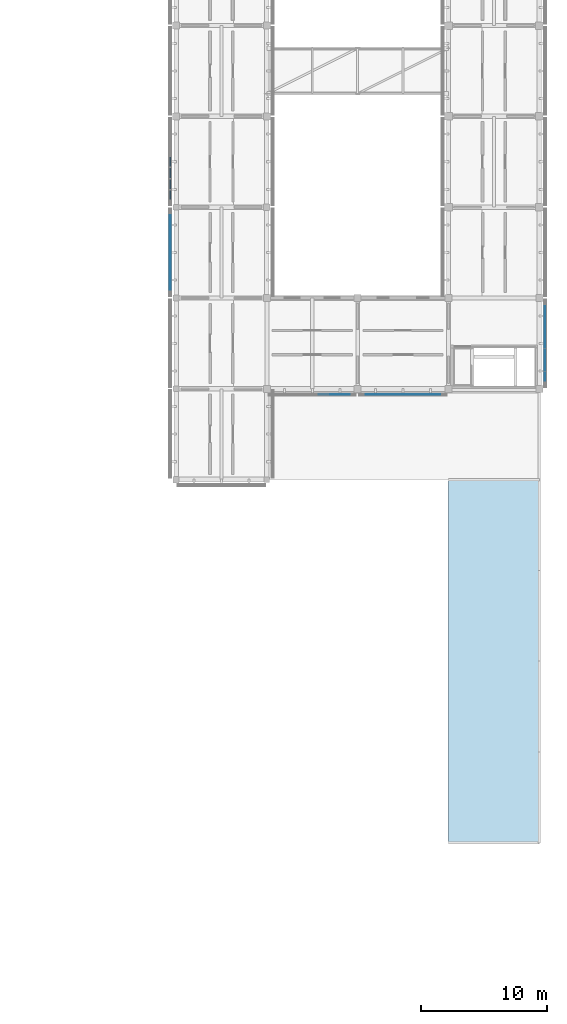
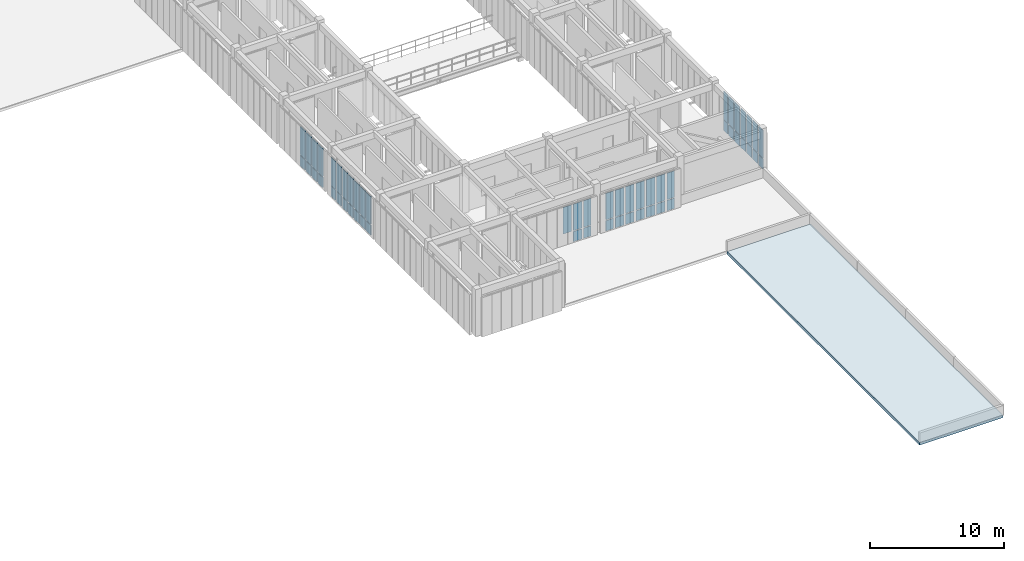
# One storey, part 56 of 91: 55 plates, 1 slab, 5 elements without a shape of their own.
"""IFC4 building model written with IfcOpenShell, lengths in metres."""

from ifc_helpers import new_model, si_unit, direction, frame, origin, origin_2d, place, context, subcontext, project, spatial, polyline, rectangle, outline, extrude, material, layer, layer_set, type_object, element, aggregate, save


model = new_model("IFC4")

# Units and contexts
model_context = context("Model", 3, precision=1e-05, world=origin(), true_north=direction((0.0, 1.0)))
body_context = subcontext(model_context, "Body", "Model", "MODEL_VIEW")
ifc_project = project(units=[si_unit("LENGTHUNIT", "METRE"), si_unit("AREAUNIT", "SQUARE_METRE"), si_unit("VOLUMEUNIT", "CUBIC_METRE"), si_unit("PLANEANGLEUNIT", "RADIAN"), si_unit("MASSUNIT", "GRAM", prefix="KILO")], contexts=[model_context])

# Site, building, storey
site_placement = place(None, origin())
site = spatial("IfcSite", under=ifc_project, at=site_placement, CompositionType="ELEMENT")
building_placement = place(site_placement, origin())
building = spatial("IfcBuilding", under=site, at=building_placement, Name="Aldebral Square Health Centre", CompositionType="ELEMENT")
storey_placement = place(building_placement, frame((0.0, 0.0, 9.0)))
storey = spatial("IfcBuildingStorey", under=building, at=storey_placement, Name="L02", CompositionType="ELEMENT", Elevation=9.0)

# Curtain wall, plates
ifc_material_1 = material(Name="Aluminium and low-E solar glass", Category="aluminium")
curtain_wall_type = type_object("IfcCurtainWallType", Name="CW-FIN-SYS", PredefinedType="USERDEFINED", material=ifc_material_1)
curtain_wall_1_placement = place(storey_placement, origin())
curtain_wall_1 = element("IfcCurtainWall", 1, at=curtain_wall_1_placement, inside=storey, type_object=curtain_wall_type, Name="L02 V5 finned curtain wall L02-V5-20-08-S", ObjectType="SOLAR_CURTAIN_WALL", PredefinedType="USERDEFINED")
ifc_material_2 = material(Name="Solar-control low-E double glass", Category="glass")
ifc_layer_1 = layer(ifc_material_2, 0.030029296875, Name="Solar-control low-E double glass", Category="glass")
ifc_layer_set_1 = layer_set([ifc_layer_1], Name="Solar-control low-E double glass")
plate_type_1 = type_object("IfcPlateType", Name="CWP-GLZ-2", PredefinedType="CURTAIN_PANEL", material=ifc_layer_set_1)
plate_1_placement = place(storey_placement, frame((148.491455078125, 57.139892578125, 1.08740234375), z_axis=(0.0, 0.0, 1.0), x_axis=(1.0, 0.0, 0.0)))
plate_1 = element("IfcPlate", 2, at=plate_1_placement, type_object=plate_type_1, Name="CW1 panel 5.2", PredefinedType="CURTAIN_PANEL", context=body_context, shape_type="SweptSolid", body=[
    extrude(rectangle(XDim=0.7314453125, YDim=0.030029296875, at=origin_2d()), origin(), (0.0, 0.0, 1.0), 2.427490234375),
])
plate_2_placement = place(storey_placement, frame((149.3828125, 57.139892578125, 0.074951171875), z_axis=(0.0, 0.0, 1.0), x_axis=(1.0, 0.0, 0.0)))
plate_2 = element("IfcPlate", 3, at=plate_2_placement, type_object=plate_type_1, Name="CW1 panel 6.1", PredefinedType="CURTAIN_PANEL", context=body_context, shape_type="SweptSolid", body=[
    extrude(rectangle(XDim=0.7314453125, YDim=0.030029296875, at=origin_2d()), origin(), (0.0, 0.0, 1.0), 0.9375),
])
plate_3_placement = place(storey_placement, frame((149.3828125, 57.139892578125, 1.08740234375), z_axis=(0.0, 0.0, 1.0), x_axis=(1.0, 0.0, 0.0)))
plate_3 = element("IfcPlate", 4, at=plate_3_placement, type_object=plate_type_1, Name="CW1 panel 6.2", PredefinedType="CURTAIN_PANEL", context=body_context, shape_type="SweptSolid", body=[
    extrude(rectangle(XDim=0.7314453125, YDim=0.030029296875, at=origin_2d()), origin(), (0.0, 0.0, 1.0), 2.427490234375),
])
plate_4_placement = place(storey_placement, frame((150.234375, 57.139892578125, 0.074951171875), z_axis=(0.0, 0.0, 1.0), x_axis=(1.0, 0.0, 0.0)))
plate_4 = element("IfcPlate", 5, at=plate_4_placement, type_object=plate_type_1, Name="CW1 panel 7.1", PredefinedType="CURTAIN_PANEL", context=body_context, shape_type="SweptSolid", body=[
    extrude(rectangle(XDim=0.6513671875, YDim=0.030029296875, at=origin_2d()), origin(), (0.0, 0.0, 1.0), 0.9375),
])
plate_5_placement = place(storey_placement, frame((150.234375, 57.139892578125, 1.08740234375), z_axis=(0.0, 0.0, 1.0), x_axis=(1.0, 0.0, 0.0)))
plate_5 = element("IfcPlate", 6, at=plate_5_placement, type_object=plate_type_1, Name="CW1 panel 7.2", PredefinedType="CURTAIN_PANEL", context=body_context, shape_type="SweptSolid", body=[
    extrude(rectangle(XDim=0.6513671875, YDim=0.030029296875, at=origin_2d()), origin(), (0.0, 0.0, 1.0), 2.427490234375),
])
aggregate(curtain_wall_1, [plate_1, plate_2, plate_3, plate_4, plate_5])

curtain_wall_2_placement = place(storey_placement, origin())
curtain_wall_2 = element("IfcCurtainWall", 7, at=curtain_wall_2_placement, inside=storey, type_object=curtain_wall_type, Name="L02 V5 finned curtain wall L02-V5-21-08-S", ObjectType="SOLAR_CURTAIN_WALL", PredefinedType="USERDEFINED")
ifc_layer_2 = layer(ifc_material_2, 0.0400390625, Name="Solar-control low-E double glass", Category="glass")
ifc_layer_set_2 = layer_set([ifc_layer_2], Name="Solar-control low-E double glass")
plate_type_2 = type_object("IfcPlateType", Name="CWP-GLZ-3", PredefinedType="CURTAIN_PANEL", material=ifc_layer_set_2)
plate_6_placement = place(storey_placement, frame((152.165771484375, 57.139892578125, 0.074951171875), z_axis=(0.0, 0.0, 1.0), x_axis=(1.0, 0.0, 0.0)))
plate_6 = element("IfcPlate", 8, at=plate_6_placement, type_object=plate_type_2, Name="CW1 panel 1.1", PredefinedType="CURTAIN_PANEL", context=body_context, shape_type="SweptSolid", body=[
    extrude(rectangle(XDim=0.6513671875, YDim=0.0400390625, at=origin_2d()), origin(), (0.0, 0.0, 1.0), 0.9375),
])
plate_7_placement = place(storey_placement, frame((152.165771484375, 57.139892578125, 1.08740234375), z_axis=(0.0, 0.0, 1.0), x_axis=(1.0, 0.0, 0.0)))
plate_7 = element("IfcPlate", 9, at=plate_7_placement, type_object=plate_type_2, Name="CW1 panel 1.2", PredefinedType="CURTAIN_PANEL", context=body_context, shape_type="SweptSolid", body=[
    extrude(rectangle(XDim=0.6513671875, YDim=0.0400390625, at=origin_2d()), origin(), (0.0, 0.0, 1.0), 2.427490234375),
])
plate_8_placement = place(storey_placement, frame((153.01708984375, 57.139892578125, 0.074951171875), z_axis=(0.0, 0.0, 1.0), x_axis=(1.0, 0.0, 0.0)))
plate_8 = element("IfcPlate", 10, at=plate_8_placement, type_object=plate_type_2, Name="CW1 panel 2.1", PredefinedType="CURTAIN_PANEL", context=body_context, shape_type="SweptSolid", body=[
    extrude(rectangle(XDim=0.7314453125, YDim=0.0400390625, at=origin_2d()), origin(), (0.0, 0.0, 1.0), 0.9375),
])
plate_9_placement = place(storey_placement, frame((153.01708984375, 57.139892578125, 1.08740234375), z_axis=(0.0, 0.0, 1.0), x_axis=(1.0, 0.0, 0.0)))
plate_9 = element("IfcPlate", 11, at=plate_9_placement, type_object=plate_type_2, Name="CW1 panel 2.2", PredefinedType="CURTAIN_PANEL", context=body_context, shape_type="SweptSolid", body=[
    extrude(rectangle(XDim=0.7314453125, YDim=0.0400390625, at=origin_2d()), origin(), (0.0, 0.0, 1.0), 2.427490234375),
])
plate_10_placement = place(storey_placement, frame((153.90869140625, 57.139892578125, 0.074951171875), z_axis=(0.0, 0.0, 1.0), x_axis=(1.0, 0.0, 0.0)))
plate_10 = element("IfcPlate", 12, at=plate_10_placement, type_object=plate_type_2, Name="CW1 panel 3.1", PredefinedType="CURTAIN_PANEL", context=body_context, shape_type="SweptSolid", body=[
    extrude(rectangle(XDim=0.7314453125, YDim=0.0400390625, at=origin_2d()), origin(), (0.0, 0.0, 1.0), 0.9375),
])
plate_11_placement = place(storey_placement, frame((153.90869140625, 57.139892578125, 1.08740234375), z_axis=(0.0, 0.0, 1.0), x_axis=(1.0, 0.0, 0.0)))
plate_11 = element("IfcPlate", 13, at=plate_11_placement, type_object=plate_type_2, Name="CW1 panel 3.2", PredefinedType="CURTAIN_PANEL", context=body_context, shape_type="SweptSolid", body=[
    extrude(rectangle(XDim=0.7314453125, YDim=0.0400390625, at=origin_2d()), origin(), (0.0, 0.0, 1.0), 2.427490234375),
])
plate_12_placement = place(storey_placement, frame((154.800048828125, 57.139892578125, 0.074951171875), z_axis=(0.0, 0.0, 1.0), x_axis=(1.0, 0.0, 0.0)))
plate_12 = element("IfcPlate", 14, at=plate_12_placement, type_object=plate_type_2, Name="CW1 panel 4.1", PredefinedType="CURTAIN_PANEL", context=body_context, shape_type="SweptSolid", body=[
    extrude(rectangle(XDim=0.7314453125, YDim=0.0400390625, at=origin_2d()), origin(), (0.0, 0.0, 1.0), 0.9375),
])
plate_13_placement = place(storey_placement, frame((154.800048828125, 57.139892578125, 1.08740234375), z_axis=(0.0, 0.0, 1.0), x_axis=(1.0, 0.0, 0.0)))
plate_13 = element("IfcPlate", 15, at=plate_13_placement, type_object=plate_type_2, Name="CW1 panel 4.2", PredefinedType="CURTAIN_PANEL", context=body_context, shape_type="SweptSolid", body=[
    extrude(rectangle(XDim=0.7314453125, YDim=0.0400390625, at=origin_2d()), origin(), (0.0, 0.0, 1.0), 2.427490234375),
])
plate_14_placement = place(storey_placement, frame((155.69140625, 57.139892578125, 0.074951171875), z_axis=(0.0, 0.0, 1.0), x_axis=(1.0, 0.0, 0.0)))
plate_14 = element("IfcPlate", 16, at=plate_14_placement, type_object=plate_type_2, Name="CW1 panel 5.1", PredefinedType="CURTAIN_PANEL", context=body_context, shape_type="SweptSolid", body=[
    extrude(rectangle(XDim=0.7314453125, YDim=0.0400390625, at=origin_2d()), origin(), (0.0, 0.0, 1.0), 0.9375),
])
plate_15_placement = place(storey_placement, frame((155.69140625, 57.139892578125, 1.08740234375), z_axis=(0.0, 0.0, 1.0), x_axis=(1.0, 0.0, 0.0)))
plate_15 = element("IfcPlate", 17, at=plate_15_placement, type_object=plate_type_2, Name="CW1 panel 5.2", PredefinedType="CURTAIN_PANEL", context=body_context, shape_type="SweptSolid", body=[
    extrude(rectangle(XDim=0.7314453125, YDim=0.0400390625, at=origin_2d()), origin(), (0.0, 0.0, 1.0), 2.427490234375),
])
plate_16_placement = place(storey_placement, frame((156.582763671875, 57.139892578125, 0.074951171875), z_axis=(0.0, 0.0, 1.0), x_axis=(1.0, 0.0, 0.0)))
plate_16 = element("IfcPlate", 18, at=plate_16_placement, type_object=plate_type_2, Name="CW1 panel 6.1", PredefinedType="CURTAIN_PANEL", context=body_context, shape_type="SweptSolid", body=[
    extrude(rectangle(XDim=0.7314453125, YDim=0.0400390625, at=origin_2d()), origin(), (0.0, 0.0, 1.0), 0.9375),
])
plate_17_placement = place(storey_placement, frame((156.582763671875, 57.139892578125, 1.08740234375), z_axis=(0.0, 0.0, 1.0), x_axis=(1.0, 0.0, 0.0)))
plate_17 = element("IfcPlate", 19, at=plate_17_placement, type_object=plate_type_2, Name="CW1 panel 6.2", PredefinedType="CURTAIN_PANEL", context=body_context, shape_type="SweptSolid", body=[
    extrude(rectangle(XDim=0.7314453125, YDim=0.0400390625, at=origin_2d()), origin(), (0.0, 0.0, 1.0), 2.427490234375),
])
plate_18_placement = place(storey_placement, frame((157.434326171875, 57.139892578125, 0.074951171875), z_axis=(0.0, 0.0, 1.0), x_axis=(1.0, 0.0, 0.0)))
plate_18 = element("IfcPlate", 20, at=plate_18_placement, type_object=plate_type_2, Name="CW1 panel 7.1", PredefinedType="CURTAIN_PANEL", context=body_context, shape_type="SweptSolid", body=[
    extrude(rectangle(XDim=0.6513671875, YDim=0.0400390625, at=origin_2d()), origin(), (0.0, 0.0, 1.0), 0.9375),
])
plate_19_placement = place(storey_placement, frame((157.434326171875, 57.139892578125, 1.08740234375), z_axis=(0.0, 0.0, 1.0), x_axis=(1.0, 0.0, 0.0)))
plate_19 = element("IfcPlate", 21, at=plate_19_placement, type_object=plate_type_2, Name="CW1 panel 7.2", PredefinedType="CURTAIN_PANEL", context=body_context, shape_type="SweptSolid", body=[
    extrude(rectangle(XDim=0.6513671875, YDim=0.0400390625, at=origin_2d()), origin(), (0.0, 0.0, 1.0), 2.427490234375),
])
aggregate(curtain_wall_2, [plate_6, plate_7, plate_8, plate_9, plate_10, plate_11, plate_12, plate_13, plate_14, plate_15, plate_16, plate_17, plate_18, plate_19])

curtain_wall_3_placement = place(storey_placement, origin())
curtain_wall_3 = element("IfcCurtainWall", 22, at=curtain_wall_3_placement, inside=storey, type_object=curtain_wall_type, Name="L02 V5 finned curtain wall L02-V5-22-08-E", ObjectType="SOLAR_CURTAIN_WALL", PredefinedType="USERDEFINED")
ifc_layer_3 = layer(ifc_material_2, 0.06005859375, Name="Solar-control low-E double glass", Category="glass")
ifc_layer_set_3 = layer_set([ifc_layer_3], Name="Solar-control low-E double glass")
plate_type_3 = type_object("IfcPlateType", Name="CWP-GLZ-5", PredefinedType="CURTAIN_PANEL", material=ifc_layer_set_3)
plate_20_placement = place(storey_placement, frame((166.06005859375, 58.565673828125, 0.074951171875), z_axis=(0.0, 0.0, 1.0), x_axis=(0.0, 1.0, 0.0)))
plate_20 = element("IfcPlate", 23, at=plate_20_placement, type_object=plate_type_3, Name="CW1 panel 1.1", PredefinedType="CURTAIN_PANEL", context=body_context, shape_type="SweptSolid", body=[
    extrude(rectangle(XDim=0.6513671875, YDim=0.06005859375, at=origin_2d()), origin(), (0.0, 0.0, 1.0), 0.9375),
])
plate_21_placement = place(storey_placement, frame((166.06005859375, 58.565673828125, 1.08740234375), z_axis=(0.0, 0.0, 1.0), x_axis=(0.0, 1.0, 0.0)))
plate_21 = element("IfcPlate", 24, at=plate_21_placement, type_object=plate_type_3, Name="CW1 panel 1.2", PredefinedType="CURTAIN_PANEL", context=body_context, shape_type="SweptSolid", body=[
    extrude(rectangle(XDim=0.6513671875, YDim=0.06005859375, at=origin_2d()), origin(), (0.0, 0.0, 1.0), 2.527587890625),
])
plate_22_placement = place(storey_placement, frame((166.06005859375, 59.417236328125, 0.074951171875), z_axis=(0.0, 0.0, 1.0), x_axis=(0.0, 1.0, 0.0)))
plate_22 = element("IfcPlate", 25, at=plate_22_placement, type_object=plate_type_3, Name="CW1 panel 2.1", PredefinedType="CURTAIN_PANEL", context=body_context, shape_type="SweptSolid", body=[
    extrude(rectangle(XDim=0.7314453125, YDim=0.06005859375, at=origin_2d()), origin(), (0.0, 0.0, 1.0), 0.9375),
])
plate_23_placement = place(storey_placement, frame((166.06005859375, 59.417236328125, 1.08740234375), z_axis=(0.0, 0.0, 1.0), x_axis=(0.0, 1.0, 0.0)))
plate_23 = element("IfcPlate", 26, at=plate_23_placement, type_object=plate_type_3, Name="CW1 panel 2.2", PredefinedType="CURTAIN_PANEL", context=body_context, shape_type="SweptSolid", body=[
    extrude(rectangle(XDim=0.7314453125, YDim=0.06005859375, at=origin_2d()), origin(), (0.0, 0.0, 1.0), 2.527587890625),
])
plate_24_placement = place(storey_placement, frame((166.06005859375, 60.30859375, 0.074951171875), z_axis=(0.0, 0.0, 1.0), x_axis=(0.0, 1.0, 0.0)))
plate_24 = element("IfcPlate", 27, at=plate_24_placement, type_object=plate_type_3, Name="CW1 panel 3.1", PredefinedType="CURTAIN_PANEL", context=body_context, shape_type="SweptSolid", body=[
    extrude(rectangle(XDim=0.7314453125, YDim=0.06005859375, at=origin_2d()), origin(), (0.0, 0.0, 1.0), 0.9375),
])
plate_25_placement = place(storey_placement, frame((166.06005859375, 60.30859375, 1.08740234375), z_axis=(0.0, 0.0, 1.0), x_axis=(0.0, 1.0, 0.0)))
plate_25 = element("IfcPlate", 28, at=plate_25_placement, type_object=plate_type_3, Name="CW1 panel 3.2", PredefinedType="CURTAIN_PANEL", context=body_context, shape_type="SweptSolid", body=[
    extrude(rectangle(XDim=0.7314453125, YDim=0.06005859375, at=origin_2d()), origin(), (0.0, 0.0, 1.0), 2.527587890625),
])
plate_26_placement = place(storey_placement, frame((166.06005859375, 61.199951171875, 0.074951171875), z_axis=(0.0, 0.0, 1.0), x_axis=(0.0, 1.0, 0.0)))
plate_26 = element("IfcPlate", 29, at=plate_26_placement, type_object=plate_type_3, Name="CW1 panel 4.1", PredefinedType="CURTAIN_PANEL", context=body_context, shape_type="SweptSolid", body=[
    extrude(rectangle(XDim=0.7314453125, YDim=0.06005859375, at=origin_2d()), origin(), (0.0, 0.0, 1.0), 0.9375),
])
plate_27_placement = place(storey_placement, frame((166.06005859375, 61.199951171875, 1.08740234375), z_axis=(0.0, 0.0, 1.0), x_axis=(0.0, 1.0, 0.0)))
plate_27 = element("IfcPlate", 30, at=plate_27_placement, type_object=plate_type_3, Name="CW1 panel 4.2", PredefinedType="CURTAIN_PANEL", context=body_context, shape_type="SweptSolid", body=[
    extrude(rectangle(XDim=0.7314453125, YDim=0.06005859375, at=origin_2d()), origin(), (0.0, 0.0, 1.0), 2.527587890625),
])
plate_28_placement = place(storey_placement, frame((166.06005859375, 62.09130859375, 0.074951171875), z_axis=(0.0, 0.0, 1.0), x_axis=(0.0, 1.0, 0.0)))
plate_28 = element("IfcPlate", 31, at=plate_28_placement, type_object=plate_type_3, Name="CW1 panel 5.1", PredefinedType="CURTAIN_PANEL", context=body_context, shape_type="SweptSolid", body=[
    extrude(rectangle(XDim=0.7314453125, YDim=0.06005859375, at=origin_2d()), origin(), (0.0, 0.0, 1.0), 0.9375),
])
plate_29_placement = place(storey_placement, frame((166.06005859375, 62.09130859375, 1.08740234375), z_axis=(0.0, 0.0, 1.0), x_axis=(0.0, 1.0, 0.0)))
plate_29 = element("IfcPlate", 32, at=plate_29_placement, type_object=plate_type_3, Name="CW1 panel 5.2", PredefinedType="CURTAIN_PANEL", context=body_context, shape_type="SweptSolid", body=[
    extrude(rectangle(XDim=0.7314453125, YDim=0.06005859375, at=origin_2d()), origin(), (0.0, 0.0, 1.0), 2.527587890625),
])
plate_30_placement = place(storey_placement, frame((166.06005859375, 62.98291015625, 0.074951171875), z_axis=(0.0, 0.0, 1.0), x_axis=(0.0, 1.0, 0.0)))
plate_30 = element("IfcPlate", 33, at=plate_30_placement, type_object=plate_type_3, Name="CW1 panel 6.1", PredefinedType="CURTAIN_PANEL", context=body_context, shape_type="SweptSolid", body=[
    extrude(rectangle(XDim=0.7314453125, YDim=0.06005859375, at=origin_2d()), origin(), (0.0, 0.0, 1.0), 0.9375),
])
plate_31_placement = place(storey_placement, frame((166.06005859375, 62.98291015625, 1.08740234375), z_axis=(0.0, 0.0, 1.0), x_axis=(0.0, 1.0, 0.0)))
plate_31 = element("IfcPlate", 34, at=plate_31_placement, type_object=plate_type_3, Name="CW1 panel 6.2", PredefinedType="CURTAIN_PANEL", context=body_context, shape_type="SweptSolid", body=[
    extrude(rectangle(XDim=0.7314453125, YDim=0.06005859375, at=origin_2d()), origin(), (0.0, 0.0, 1.0), 2.527587890625),
])
plate_32_placement = place(storey_placement, frame((166.06005859375, 63.834228515625, 0.074951171875), z_axis=(0.0, 0.0, 1.0), x_axis=(0.0, 1.0, 0.0)))
plate_32 = element("IfcPlate", 35, at=plate_32_placement, type_object=plate_type_3, Name="CW1 panel 7.1", PredefinedType="CURTAIN_PANEL", context=body_context, shape_type="SweptSolid", body=[
    extrude(rectangle(XDim=0.6513671875, YDim=0.06005859375, at=origin_2d()), origin(), (0.0, 0.0, 1.0), 0.9375),
])
plate_33_placement = place(storey_placement, frame((166.06005859375, 63.834228515625, 1.08740234375), z_axis=(0.0, 0.0, 1.0), x_axis=(0.0, 1.0, 0.0)))
plate_33 = element("IfcPlate", 36, at=plate_33_placement, type_object=plate_type_3, Name="CW1 panel 7.2", PredefinedType="CURTAIN_PANEL", context=body_context, shape_type="SweptSolid", body=[
    extrude(rectangle(XDim=0.6513671875, YDim=0.06005859375, at=origin_2d()), origin(), (0.0, 0.0, 1.0), 2.527587890625),
])
aggregate(curtain_wall_3, [plate_20, plate_21, plate_22, plate_23, plate_24, plate_25, plate_26, plate_27, plate_28, plate_29, plate_30, plate_31, plate_32, plate_33])

curtain_wall_4_placement = place(storey_placement, origin())
curtain_wall_4 = element("IfcCurtainWall", 37, at=curtain_wall_4_placement, inside=storey, type_object=curtain_wall_type, Name="L02 V5 finned curtain wall L02-V5-19-09-W", ObjectType="SOLAR_CURTAIN_WALL", PredefinedType="USERDEFINED")
ifc_layer_4 = layer(ifc_material_2, 0.070068359375, Name="Solar-control low-E double glass", Category="glass")
ifc_layer_set_4 = layer_set([ifc_layer_4], Name="Solar-control low-E double glass")
plate_type_4 = type_object("IfcPlateType", Name="CWP-GLZ-6", PredefinedType="CURTAIN_PANEL", material=ifc_layer_set_4)
plate_34_placement = place(storey_placement, frame((136.340087890625, 71.0341796875, 0.074951171875), z_axis=(0.0, 0.0, 1.0), x_axis=(0.0, -1.0, 0.0)))
plate_34 = element("IfcPlate", 38, at=plate_34_placement, type_object=plate_type_4, Name="CW1 panel 1.1", PredefinedType="CURTAIN_PANEL", context=body_context, shape_type="SweptSolid", body=[
    extrude(rectangle(XDim=0.6513671875, YDim=0.070068359375, at=origin_2d()), origin(), (0.0, 0.0, 1.0), 0.9375),
])
plate_35_placement = place(storey_placement, frame((136.340087890625, 71.0341796875, 1.08740234375), z_axis=(0.0, 0.0, 1.0), x_axis=(0.0, -1.0, 0.0)))
plate_35 = element("IfcPlate", 39, at=plate_35_placement, type_object=plate_type_4, Name="CW1 panel 1.2", PredefinedType="CURTAIN_PANEL", context=body_context, shape_type="SweptSolid", body=[
    extrude(rectangle(XDim=0.6513671875, YDim=0.070068359375, at=origin_2d()), origin(), (0.0, 0.0, 1.0), 2.527587890625),
])
plate_36_placement = place(storey_placement, frame((136.340087890625, 70.182861328125, 0.074951171875), z_axis=(0.0, 0.0, 1.0), x_axis=(0.0, -1.0, 0.0)))
plate_36 = element("IfcPlate", 40, at=plate_36_placement, type_object=plate_type_4, Name="CW1 panel 2.1", PredefinedType="CURTAIN_PANEL", context=body_context, shape_type="SweptSolid", body=[
    extrude(rectangle(XDim=0.7314453125, YDim=0.070068359375, at=origin_2d()), origin(), (0.0, 0.0, 1.0), 0.9375),
])
plate_37_placement = place(storey_placement, frame((136.340087890625, 70.182861328125, 1.08740234375), z_axis=(0.0, 0.0, 1.0), x_axis=(0.0, -1.0, 0.0)))
plate_37 = element("IfcPlate", 41, at=plate_37_placement, type_object=plate_type_4, Name="CW1 panel 2.2", PredefinedType="CURTAIN_PANEL", context=body_context, shape_type="SweptSolid", body=[
    extrude(rectangle(XDim=0.7314453125, YDim=0.070068359375, at=origin_2d()), origin(), (0.0, 0.0, 1.0), 2.527587890625),
])
plate_38_placement = place(storey_placement, frame((136.340087890625, 69.29150390625, 0.074951171875), z_axis=(0.0, 0.0, 1.0), x_axis=(0.0, -1.0, 0.0)))
plate_38 = element("IfcPlate", 42, at=plate_38_placement, type_object=plate_type_4, Name="CW1 panel 3.1", PredefinedType="CURTAIN_PANEL", context=body_context, shape_type="SweptSolid", body=[
    extrude(rectangle(XDim=0.7314453125, YDim=0.070068359375, at=origin_2d()), origin(), (0.0, 0.0, 1.0), 0.9375),
])
plate_39_placement = place(storey_placement, frame((136.340087890625, 69.29150390625, 1.08740234375), z_axis=(0.0, 0.0, 1.0), x_axis=(0.0, -1.0, 0.0)))
plate_39 = element("IfcPlate", 43, at=plate_39_placement, type_object=plate_type_4, Name="CW1 panel 3.2", PredefinedType="CURTAIN_PANEL", context=body_context, shape_type="SweptSolid", body=[
    extrude(rectangle(XDim=0.7314453125, YDim=0.070068359375, at=origin_2d()), origin(), (0.0, 0.0, 1.0), 2.527587890625),
])
plate_40_placement = place(storey_placement, frame((136.340087890625, 68.39990234375, 0.074951171875), z_axis=(0.0, 0.0, 1.0), x_axis=(0.0, -1.0, 0.0)))
plate_40 = element("IfcPlate", 44, at=plate_40_placement, type_object=plate_type_4, Name="CW1 panel 4.1", PredefinedType="CURTAIN_PANEL", context=body_context, shape_type="SweptSolid", body=[
    extrude(rectangle(XDim=0.7314453125, YDim=0.070068359375, at=origin_2d()), origin(), (0.0, 0.0, 1.0), 0.9375),
])
plate_41_placement = place(storey_placement, frame((136.340087890625, 68.39990234375, 1.08740234375), z_axis=(0.0, 0.0, 1.0), x_axis=(0.0, -1.0, 0.0)))
plate_41 = element("IfcPlate", 45, at=plate_41_placement, type_object=plate_type_4, Name="CW1 panel 4.2", PredefinedType="CURTAIN_PANEL", context=body_context, shape_type="SweptSolid", body=[
    extrude(rectangle(XDim=0.7314453125, YDim=0.070068359375, at=origin_2d()), origin(), (0.0, 0.0, 1.0), 2.527587890625),
])
plate_42_placement = place(storey_placement, frame((136.340087890625, 67.508544921875, 0.074951171875), z_axis=(0.0, 0.0, 1.0), x_axis=(0.0, -1.0, 0.0)))
plate_42 = element("IfcPlate", 46, at=plate_42_placement, type_object=plate_type_4, Name="CW1 panel 5.1", PredefinedType="CURTAIN_PANEL", context=body_context, shape_type="SweptSolid", body=[
    extrude(rectangle(XDim=0.7314453125, YDim=0.070068359375, at=origin_2d()), origin(), (0.0, 0.0, 1.0), 0.9375),
])
plate_43_placement = place(storey_placement, frame((136.340087890625, 67.508544921875, 1.08740234375), z_axis=(0.0, 0.0, 1.0), x_axis=(0.0, -1.0, 0.0)))
plate_43 = element("IfcPlate", 47, at=plate_43_placement, type_object=plate_type_4, Name="CW1 panel 5.2", PredefinedType="CURTAIN_PANEL", context=body_context, shape_type="SweptSolid", body=[
    extrude(rectangle(XDim=0.7314453125, YDim=0.070068359375, at=origin_2d()), origin(), (0.0, 0.0, 1.0), 2.527587890625),
])
plate_44_placement = place(storey_placement, frame((136.340087890625, 66.6171875, 0.074951171875), z_axis=(0.0, 0.0, 1.0), x_axis=(0.0, -1.0, 0.0)))
plate_44 = element("IfcPlate", 48, at=plate_44_placement, type_object=plate_type_4, Name="CW1 panel 6.1", PredefinedType="CURTAIN_PANEL", context=body_context, shape_type="SweptSolid", body=[
    extrude(rectangle(XDim=0.7314453125, YDim=0.070068359375, at=origin_2d()), origin(), (0.0, 0.0, 1.0), 0.9375),
])
plate_45_placement = place(storey_placement, frame((136.340087890625, 66.6171875, 1.08740234375), z_axis=(0.0, 0.0, 1.0), x_axis=(0.0, -1.0, 0.0)))
plate_45 = element("IfcPlate", 49, at=plate_45_placement, type_object=plate_type_4, Name="CW1 panel 6.2", PredefinedType="CURTAIN_PANEL", context=body_context, shape_type="SweptSolid", body=[
    extrude(rectangle(XDim=0.7314453125, YDim=0.070068359375, at=origin_2d()), origin(), (0.0, 0.0, 1.0), 2.527587890625),
])
plate_46_placement = place(storey_placement, frame((136.340087890625, 65.765625, 0.074951171875), z_axis=(0.0, 0.0, 1.0), x_axis=(0.0, -1.0, 0.0)))
plate_46 = element("IfcPlate", 50, at=plate_46_placement, type_object=plate_type_4, Name="CW1 panel 7.1", PredefinedType="CURTAIN_PANEL", context=body_context, shape_type="SweptSolid", body=[
    extrude(rectangle(XDim=0.6513671875, YDim=0.070068359375, at=origin_2d()), origin(), (0.0, 0.0, 1.0), 0.9375),
])
plate_47_placement = place(storey_placement, frame((136.340087890625, 65.765625, 1.08740234375), z_axis=(0.0, 0.0, 1.0), x_axis=(0.0, -1.0, 0.0)))
plate_47 = element("IfcPlate", 51, at=plate_47_placement, type_object=plate_type_4, Name="CW1 panel 7.2", PredefinedType="CURTAIN_PANEL", context=body_context, shape_type="SweptSolid", body=[
    extrude(rectangle(XDim=0.6513671875, YDim=0.070068359375, at=origin_2d()), origin(), (0.0, 0.0, 1.0), 2.527587890625),
])
aggregate(curtain_wall_4, [plate_34, plate_35, plate_36, plate_37, plate_38, plate_39, plate_40, plate_41, plate_42, plate_43, plate_44, plate_45, plate_46, plate_47])

curtain_wall_5_placement = place(storey_placement, origin())
curtain_wall_5 = element("IfcCurtainWall", 52, at=curtain_wall_5_placement, inside=storey, type_object=curtain_wall_type, Name="L02 V5 finned curtain wall L02-V5-19-10-W", ObjectType="SOLAR_CURTAIN_WALL", PredefinedType="USERDEFINED")
ifc_layer_5 = layer(ifc_material_2, 0.090087890625, Name="Solar-control low-E double glass", Category="glass")
ifc_layer_set_5 = layer_set([ifc_layer_5], Name="Solar-control low-E double glass")
plate_type_5 = type_object("IfcPlateType", Name="CWP-GLZ-8", PredefinedType="CURTAIN_PANEL", material=ifc_layer_set_5)
plate_48_placement = place(storey_placement, frame((136.340087890625, 75.60009765625, 0.074951171875), z_axis=(0.0, 0.0, 1.0), x_axis=(0.0, -1.0, 0.0)))
plate_48 = element("IfcPlate", 53, at=plate_48_placement, type_object=plate_type_5, Name="CW1 panel 4.1", PredefinedType="CURTAIN_PANEL", context=body_context, shape_type="SweptSolid", body=[
    extrude(rectangle(XDim=0.7314453125, YDim=0.090087890625, at=origin_2d()), origin(), (0.0, 0.0, 1.0), 0.9375),
])
plate_49_placement = place(storey_placement, frame((136.340087890625, 75.60009765625, 1.08740234375), z_axis=(0.0, 0.0, 1.0), x_axis=(0.0, -1.0, 0.0)))
plate_49 = element("IfcPlate", 54, at=plate_49_placement, type_object=plate_type_5, Name="CW1 panel 4.2", PredefinedType="CURTAIN_PANEL", context=body_context, shape_type="SweptSolid", body=[
    extrude(rectangle(XDim=0.7314453125, YDim=0.090087890625, at=origin_2d()), origin(), (0.0, 0.0, 1.0), 2.527587890625),
])
plate_50_placement = place(storey_placement, frame((136.340087890625, 74.70849609375, 0.074951171875), z_axis=(0.0, 0.0, 1.0), x_axis=(0.0, -1.0, 0.0)))
plate_50 = element("IfcPlate", 55, at=plate_50_placement, type_object=plate_type_5, Name="CW1 panel 5.1", PredefinedType="CURTAIN_PANEL", context=body_context, shape_type="SweptSolid", body=[
    extrude(rectangle(XDim=0.7314453125, YDim=0.090087890625, at=origin_2d()), origin(), (0.0, 0.0, 1.0), 0.9375),
])
plate_51_placement = place(storey_placement, frame((136.340087890625, 74.70849609375, 1.08740234375), z_axis=(0.0, 0.0, 1.0), x_axis=(0.0, -1.0, 0.0)))
plate_51 = element("IfcPlate", 56, at=plate_51_placement, type_object=plate_type_5, Name="CW1 panel 5.2", PredefinedType="CURTAIN_PANEL", context=body_context, shape_type="SweptSolid", body=[
    extrude(rectangle(XDim=0.7314453125, YDim=0.090087890625, at=origin_2d()), origin(), (0.0, 0.0, 1.0), 2.527587890625),
])
plate_52_placement = place(storey_placement, frame((136.340087890625, 73.817138671875, 0.074951171875), z_axis=(0.0, 0.0, 1.0), x_axis=(0.0, -1.0, 0.0)))
plate_52 = element("IfcPlate", 57, at=plate_52_placement, type_object=plate_type_5, Name="CW1 panel 6.1", PredefinedType="CURTAIN_PANEL", context=body_context, shape_type="SweptSolid", body=[
    extrude(rectangle(XDim=0.7314453125, YDim=0.090087890625, at=origin_2d()), origin(), (0.0, 0.0, 1.0), 0.9375),
])
plate_53_placement = place(storey_placement, frame((136.340087890625, 73.817138671875, 1.08740234375), z_axis=(0.0, 0.0, 1.0), x_axis=(0.0, -1.0, 0.0)))
plate_53 = element("IfcPlate", 58, at=plate_53_placement, type_object=plate_type_5, Name="CW1 panel 6.2", PredefinedType="CURTAIN_PANEL", context=body_context, shape_type="SweptSolid", body=[
    extrude(rectangle(XDim=0.7314453125, YDim=0.090087890625, at=origin_2d()), origin(), (0.0, 0.0, 1.0), 2.527587890625),
])
plate_54_placement = place(storey_placement, frame((136.340087890625, 72.9658203125, 0.074951171875), z_axis=(0.0, 0.0, 1.0), x_axis=(0.0, -1.0, 0.0)))
plate_54 = element("IfcPlate", 59, at=plate_54_placement, type_object=plate_type_5, Name="CW1 panel 7.1", PredefinedType="CURTAIN_PANEL", context=body_context, shape_type="SweptSolid", body=[
    extrude(rectangle(XDim=0.6513671875, YDim=0.090087890625, at=origin_2d()), origin(), (0.0, 0.0, 1.0), 0.9375),
])
plate_55_placement = place(storey_placement, frame((136.340087890625, 72.9658203125, 1.08740234375), z_axis=(0.0, 0.0, 1.0), x_axis=(0.0, -1.0, 0.0)))
plate_55 = element("IfcPlate", 60, at=plate_55_placement, type_object=plate_type_5, Name="CW1 panel 7.2", PredefinedType="CURTAIN_PANEL", context=body_context, shape_type="SweptSolid", body=[
    extrude(rectangle(XDim=0.6513671875, YDim=0.090087890625, at=origin_2d()), origin(), (0.0, 0.0, 1.0), 2.527587890625),
])
aggregate(curtain_wall_5, [plate_48, plate_49, plate_50, plate_51, plate_52, plate_53, plate_54, plate_55])

# Slab
ifc_material_3 = material(Name="Concrete C35/45", Category="concrete")
ifc_layer_6 = layer(ifc_material_3, 0.239990234375, Name="Concrete C35/45", Category="concrete")
ifc_layer_set_6 = layer_set([ifc_layer_6], Name="Concrete C35/45")
slab_type = type_object("IfcSlabType", Name="SL-RF-240", PredefinedType="ROOF", material=ifc_layer_set_6)
slab_placement = place(storey_placement, frame((0.0, 0.0, -0.239990234375)))
element("IfcSlab", 61, at=slab_placement, inside=storey, type_object=slab_type, Name="L01 V3 roof slab 1", PredefinedType="ROOF", context=body_context, shape_type="SweptSolid", body=[
    extrude(outline(polyline([(158.39990234375, 28.800048828125), (158.39990234375, 36.0), (158.39990234375, 43.199951171875), (158.39990234375, 50.39990234375), (165.60009765625, 50.39990234375), (165.60009765625, 43.199951171875), (165.60009765625, 36.0), (165.60009765625, 28.800048828125), (165.60009765625, 21.60009765625), (158.39990234375, 21.60009765625), (158.39990234375, 28.800048828125)])), origin(), (0.0, 0.0, 1.0), 0.239990234375),
])

save(model, "model.ifc")
